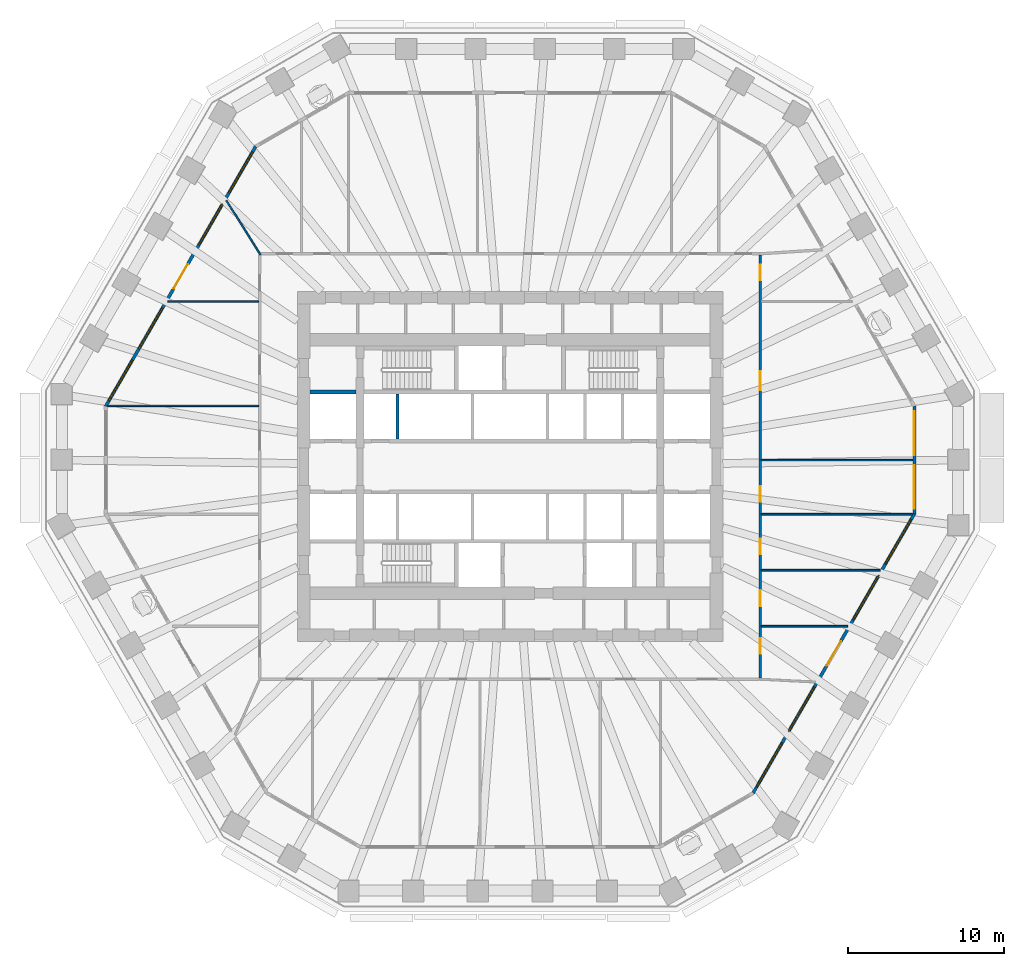
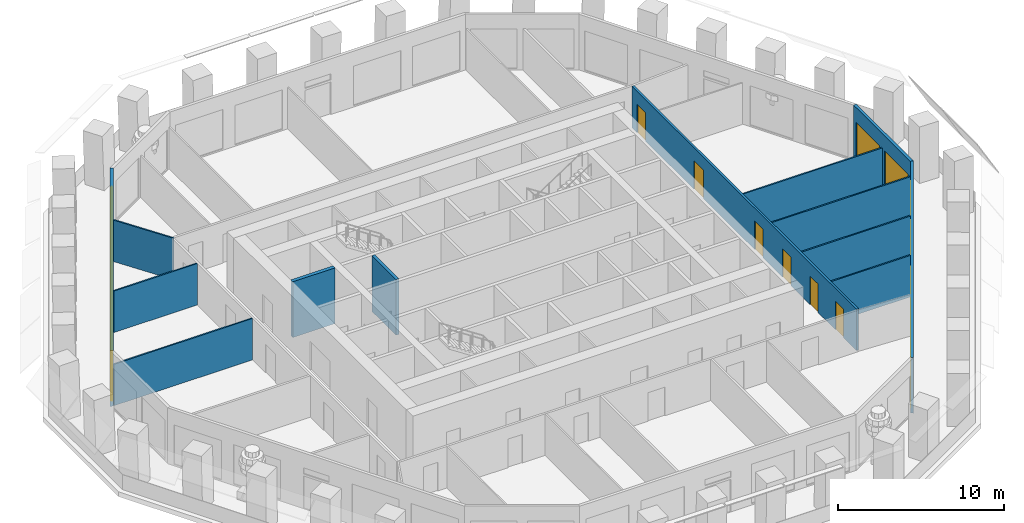
# One storey, part 6 of 13: 13 walls, 12 windows, 8 doors, 20 openings.
"""IFC4 building model written with IfcOpenShell, lengths in metres."""

import ifcopenshell
import ifcopenshell.guid

model = None  # the IFC model being written
_history = None  # IfcOwnerHistory: only IFC2X3 demands one
_inside = {}  # id of a spatial element -> (the spatial element, [elements in it])
_under = {}  # id of a project, library or spatial element -> (it, [spatial elements below it])
_declared = {}  # id of a project -> (the project, [libraries it declares])
_typed = {}  # id of a type object -> (the type object, [elements of that type])
_made_of = {}  # id of a material, layer set ... -> (it, [elements and type objects made of it])


def new_model(schema):
    """Start an empty IFC model of exactly this schema.

    Asked for "IFC4X3", IfcOpenShell would pick the latest addendum, in which some entities
    have other attributes; the version numbers below select the first issue.
    IFC2X3 requires an IfcOwnerHistory on every rooted entity: one is made here for all.
    """
    global model, _history
    if schema == "IFC4X3":
        model = ifcopenshell.file(schema_version=(4, 3, 0, 0))
    else:
        model = ifcopenshell.file(schema=schema)
    _inside.clear()
    _under.clear()
    _declared.clear()
    _typed.clear()
    _made_of.clear()
    _history = None
    if model.schema == "IFC2X3":
        org = make("IfcOrganization", Name="unknown")
        user = make(
            "IfcPersonAndOrganization",
            ThePerson=make("IfcPerson", FamilyName="unknown"),
            TheOrganization=org,
        )
        app = make(
            "IfcApplication",
            ApplicationDeveloper=org,
            Version="unknown",
            ApplicationFullName="unknown",
            ApplicationIdentifier="unknown",
        )
        _history = make(
            "IfcOwnerHistory",
            OwningUser=user,
            OwningApplication=app,
            ChangeAction="ADDED",
            CreationDate=0,
        )
    return model


def make(cls, **values):
    """One entity of the class cls with the attributes given. An attribute that is None is left unset."""
    return model.create_entity(
        cls, **{name: value for name, value in values.items() if value is not None}
    )


def rooted(cls, **values):
    """An entity with a GlobalId (a new one), such as an element, a storey or a relation."""
    return make(cls, GlobalId=ifcopenshell.guid.new(), OwnerHistory=_history, **values)


def si_unit(unit_type, name, prefix=None):
    """IfcSIUnit, for example si_unit("LENGTHUNIT", "METRE", prefix="MILLI")."""
    return make("IfcSIUnit", UnitType=unit_type, Prefix=prefix, Name=name)


def assignment(units):
    """IfcUnitAssignment: the units of a project."""
    return None if units is None else make("IfcUnitAssignment", Units=units)


def point(xyz):
    """IfcCartesianPoint."""
    return None if xyz is None else make("IfcCartesianPoint", Coordinates=xyz)


def direction(xyz):
    """IfcDirection."""
    return None if xyz is None else make("IfcDirection", DirectionRatios=xyz)


def frame(location, z_axis=None, x_axis=None):
    """IfcAxis2Placement3D, a coordinate frame: its origin and axes. An axis left out is left unset."""
    return make(
        "IfcAxis2Placement3D",
        Location=point(location),
        Axis=direction(z_axis),
        RefDirection=direction(x_axis),
    )


def frame_2d(location, x_axis=None):
    """IfcAxis2Placement2D, a coordinate frame in the plane: its origin and x axis."""
    return make(
        "IfcAxis2Placement2D", Location=point(location), RefDirection=direction(x_axis)
    )


def origin():
    """The frame at (0, 0, 0) with its axes left unset."""
    return frame((0.0, 0.0, 0.0))


def place(relative_to, where):
    """IfcLocalPlacement: puts the frame where relative to a parent placement (None: the world)."""
    return make(
        "IfcLocalPlacement", PlacementRelTo=relative_to, RelativePlacement=where
    )


def context(
    kind, dimensions, precision=None, world=None, true_north=None, identifier=None
):
    """IfcGeometricRepresentationContext, for example the 3D "Model" context."""
    return make(
        "IfcGeometricRepresentationContext",
        ContextIdentifier=identifier,
        ContextType=kind,
        CoordinateSpaceDimension=dimensions,
        Precision=precision,
        WorldCoordinateSystem=world,
        TrueNorth=true_north,
    )


def subcontext(parent, identifier, kind, view, scale=None):
    """IfcGeometricRepresentationSubContext, for example "Body" below "Model"."""
    return make(
        "IfcGeometricRepresentationSubContext",
        ContextIdentifier=identifier,
        ContextType=kind,
        ParentContext=parent,
        TargetScale=scale,
        TargetView=view,
    )


def project(units=None, contexts=None):
    """IfcProject with its units and contexts."""
    return rooted(
        "IfcProject",
        Name="project",
        RepresentationContexts=contexts,
        UnitsInContext=assignment(units),
    )


def spatial(cls, under=None, at=None, **own):
    """A site, building, storey or space (cls), placed at a placement, below another one or the project."""
    s = rooted(cls, ObjectPlacement=at, **own)
    if under is not None:
        _under.setdefault(under.id(), (under, []))[1].append(s)
    return s


def polyline(points):
    """IfcPolyline through the points."""
    return make("IfcPolyline", Points=[point(p) for p in points])


def profile(cls, at=None, kind="AREA", **sizes):
    """A parametric profile (cls). Its sizes go by their IFC names, for example OverallWidth=200.0."""
    return make(cls, ProfileType=kind, Position=at, **sizes)


def rectangle(**sizes):
    """IfcRectangleProfileDef."""
    return profile("IfcRectangleProfileDef", **sizes)


def outline(outer, holes=None, kind="AREA"):
    """IfcArbitraryClosedProfileDef: a profile drawn as a closed curve; with holes, ...WithVoids."""
    if holes is None:
        return make("IfcArbitraryClosedProfileDef", ProfileType=kind, OuterCurve=outer)
    return make(
        "IfcArbitraryProfileDefWithVoids",
        ProfileType=kind,
        OuterCurve=outer,
        InnerCurves=holes,
    )


def extrude(swept, where, along, depth):
    """IfcExtrudedAreaSolid: the profile swept, set in the frame where, extruded along a direction by depth."""
    return make(
        "IfcExtrudedAreaSolid",
        SweptArea=swept,
        Position=where,
        ExtrudedDirection=direction(along),
        Depth=depth,
    )


def shape(context_of_items, identifier, shape_type, items):
    """IfcShapeRepresentation: the items that make up one representation, for example the "Body"."""
    return make(
        "IfcShapeRepresentation",
        ContextOfItems=context_of_items,
        RepresentationIdentifier=identifier,
        RepresentationType=shape_type,
        Items=items,
    )


def material(Name=None, Category=None):
    """IfcMaterial."""
    return make("IfcMaterial", Name=Name, Category=Category)


def layer(
    of_material, thickness, ventilated=None, Name=None, Category=None, Priority=None
):
    """IfcMaterialLayer: one layer of a wall or slab, of a material (None: an air gap)."""
    return make(
        "IfcMaterialLayer",
        Material=of_material,
        LayerThickness=thickness,
        IsVentilated=ventilated,
        Name=Name,
        Category=Category,
        Priority=Priority,
    )


def layer_set(layers, Name=None):
    """IfcMaterialLayerSet."""
    return make("IfcMaterialLayerSet", MaterialLayers=layers, LayerSetName=Name)


def made_of(thing, what):
    """Note that an element or type object is made of a material, layer set ...; save() writes the relation."""
    if what is not None:
        _made_of.setdefault(what.id(), (what, []))[1].append(thing)
    return thing


def type_object(cls, material=None, **own):
    """A type object (cls), such as IfcWallType, which elements share."""
    return made_of(rooted(cls, **own), material)


def element(
    cls,
    number,
    at=None,
    inside=None,
    cuts=None,
    type_object=None,
    material=None,
    context=None,
    identifier="Body",
    shape_type=None,
    held_by="IfcProductDefinitionShape",
    body=None,
    shapes=None,
    **own,
):
    """One element of the class cls, such as IfcWall. Its Tag is "e" and its number.

    at: its placement. inside: the storey or other place that contains it. cuts: it is an
    opening in that element (IfcRelVoidsElement). A single representation is given by context,
    identifier, shape_type and body (its items); several are given by shapes. held_by: the class
    of the entity that holds the representations. save() writes the other relations.
    """
    e = rooted(cls, Tag="e%d" % number, ObjectPlacement=at, **own)
    if body is not None:
        shapes = [shape(context, identifier, shape_type, body)]
    if shapes is not None:
        e.Representation = make(held_by, Representations=shapes)
    if inside is not None:
        _inside.setdefault(inside.id(), (inside, []))[1].append(e)
    if cuts is not None:
        rooted(
            "IfcRelVoidsElement", RelatingBuildingElement=cuts, RelatedOpeningElement=e
        )
    if type_object is not None:
        _typed.setdefault(type_object.id(), (type_object, []))[1].append(e)
    return made_of(e, material)


def fill(opening, filler):
    """IfcRelFillsElement: the door or window that sits in an opening."""
    return rooted(
        "IfcRelFillsElement",
        RelatingOpeningElement=opening,
        RelatedBuildingElement=filler,
    )


def aggregate(whole, parts):
    """IfcRelAggregates: a whole, such as a stair, and the parts it consists of."""
    return rooted("IfcRelAggregates", RelatingObject=whole, RelatedObjects=parts)


def save(model, path):
    """Write the relations noted so far, then the file.

    IfcRelAggregates (storeys below a building ...), IfcRelContainedInSpatialStructure (elements
    in a storey), IfcRelDefinesByType, IfcRelAssociatesMaterial and IfcRelDeclares: one each for
    every whole, place, type object, material and project.
    """
    for whole, parts in _under.values():
        aggregate(whole, parts)
    for where, things in _inside.values():
        rooted(
            "IfcRelContainedInSpatialStructure",
            RelatedElements=things,
            RelatingStructure=where,
        )
    for kind, things in _typed.values():
        rooted("IfcRelDefinesByType", RelatedObjects=things, RelatingType=kind)
    for what, things in _made_of.values():
        rooted("IfcRelAssociatesMaterial", RelatedObjects=things, RelatingMaterial=what)
    for by, libraries in _declared.values():
        rooted("IfcRelDeclares", RelatingContext=by, RelatedDefinitions=libraries)
    model.write(path)


model = new_model("IFC4")

# Units and contexts
model_context = context("Model", 3, precision=1e-05, world=origin(), true_north=direction((0.0, 1.0)))
body_context = subcontext(model_context, "Body", "Model", "MODEL_VIEW")
ifc_project = project(units=[si_unit("LENGTHUNIT", "METRE"), si_unit("AREAUNIT", "SQUARE_METRE"), si_unit("VOLUMEUNIT", "CUBIC_METRE"), si_unit("PLANEANGLEUNIT", "RADIAN"), si_unit("MASSUNIT", "GRAM", prefix="KILO")], contexts=[model_context])

# Site, building, storey
site_placement = place(None, origin())
site = spatial("IfcSite", under=ifc_project, at=site_placement, CompositionType="ELEMENT")
building_placement = place(site_placement, origin())
building = spatial("IfcBuilding", under=site, at=building_placement, Name="Frailejon Research Tower", CompositionType="ELEMENT")
storey_placement = place(building_placement, frame((0.0, 0.0, 94.0)))
storey = spatial("IfcBuildingStorey", under=building, at=storey_placement, Name="L20", CompositionType="ELEMENT", Elevation=94.0)

# Wall, openings, doors
ifc_material_1 = material(Name="Gypsum board and masonry partition", Category="masonry")
ifc_layer_1 = layer(ifc_material_1, 0.14990234375)
ifc_layer_set_1 = layer_set([ifc_layer_1], Name="Corridor wall EI 60, gypsum on steel studs 150")
wall_type_1 = type_object("IfcWallType", Name="Corridor wall EI 60, gypsum on steel studs 150", PredefinedType="PARTITIONING", material=ifc_layer_set_1)
wall_1_placement = place(storey_placement, frame((16.0, -13.52490234375, 0.0), z_axis=(0.0, 0.0, 1.0), x_axis=(0.0, 1.0, 0.0)))
wall_1 = element("IfcWall", 1, at=wall_1_placement, inside=storey, type_object=wall_type_1, Name="T:IW:L20:001", PredefinedType="PARTITIONING", context=body_context, shape_type="SweptSolid", body=[
    extrude(rectangle(XDim=27.0498046875, YDim=0.14990234375, at=frame_2d((13.52490234375, 0.0))), origin(), (0.0, 0.0, 1.0), 3.050048828125),
])
opening_1_placement = place(wall_1_placement, frame((18.4033203125, 0.0, 0.0)))
opening_1 = element("IfcOpeningElement", 2, at=opening_1_placement, cuts=wall_1, Name="Opening D1528", PredefinedType="OPENING", context=body_context, shape_type="SweptSolid", body=[
    extrude(rectangle(XDim=1.199951171875, YDim=2.10009765625, at=frame_2d((0.60009765625, 1.050048828125))), frame((0.0, 0.0849609375, 0.0), z_axis=(0.0, -1.0, 0.0), x_axis=(1.0, 0.0, 0.0)), (0.0, 0.0, 1.0), 0.169921875),
])
opening_2_placement = place(wall_1_placement, frame((25.435302734375, 0.0, 0.0)))
opening_2 = element("IfcOpeningElement", 3, at=opening_2_placement, cuts=wall_1, Name="Opening D1529", PredefinedType="OPENING", context=body_context, shape_type="SweptSolid", body=[
    extrude(rectangle(XDim=1.0, YDim=2.10009765625, at=frame_2d((0.5, 1.050048828125))), frame((0.0, 0.0849609375, 0.0), z_axis=(0.0, -1.0, 0.0), x_axis=(1.0, 0.0, 0.0)), (0.0, 0.0, 1.0), 0.169921875),
])
opening_3_placement = place(wall_1_placement, frame((1.54248046875, 0.0, 0.0)))
opening_3 = element("IfcOpeningElement", 4, at=opening_3_placement, cuts=wall_1, Name="Opening D1547", PredefinedType="OPENING", context=body_context, shape_type="SweptSolid", body=[
    extrude(rectangle(XDim=1.0, YDim=2.10009765625, at=frame_2d((0.5, 1.050048828125))), frame((0.0, 0.0849609375, 0.0), z_axis=(0.0, -1.0, 0.0), x_axis=(1.0, 0.0, 0.0)), (0.0, 0.0, 1.0), 0.169921875),
])
opening_4_placement = place(wall_1_placement, frame((4.605224609375, 0.0, 0.0)))
opening_4 = element("IfcOpeningElement", 5, at=opening_4_placement, cuts=wall_1, Name="Opening D1548", PredefinedType="OPENING", context=body_context, shape_type="SweptSolid", body=[
    extrude(rectangle(XDim=1.0, YDim=2.10009765625, at=frame_2d((0.5, 1.050048828125))), frame((0.0, 0.0849609375, 0.0), z_axis=(0.0, -1.0, 0.0), x_axis=(1.0, 0.0, 0.0)), (0.0, 0.0, 1.0), 0.169921875),
])
opening_5_placement = place(wall_1_placement, frame((7.903564453125, 0.0, 0.0)))
opening_5 = element("IfcOpeningElement", 6, at=opening_5_placement, cuts=wall_1, Name="Opening D1549", PredefinedType="OPENING", context=body_context, shape_type="SweptSolid", body=[
    extrude(rectangle(XDim=1.0, YDim=2.10009765625, at=frame_2d((0.5, 1.050048828125))), frame((0.0, 0.0849609375, 0.0), z_axis=(0.0, -1.0, 0.0), x_axis=(1.0, 0.0, 0.0)), (0.0, 0.0, 1.0), 0.169921875),
])
opening_6_placement = place(wall_1_placement, frame((11.266845703125, 0.0, 0.0)))
opening_6 = element("IfcOpeningElement", 7, at=opening_6_placement, cuts=wall_1, Name="Opening D1550", PredefinedType="OPENING", context=body_context, shape_type="SweptSolid", body=[
    extrude(rectangle(XDim=1.0, YDim=2.10009765625, at=frame_2d((0.5, 1.050048828125))), frame((0.0, 0.0849609375, 0.0), z_axis=(0.0, -1.0, 0.0), x_axis=(1.0, 0.0, 0.0)), (0.0, 0.0, 1.0), 0.169921875),
])
ifc_material_2 = material(Name="Timber door leaf", Category="wood")
door_type_1 = type_object("IfcDoorType", Name="Door single leaf, timber, steel frame 1000", OperationType="NOTDEFINED", PredefinedType="DOOR", material=ifc_material_2)
door_1_placement = place(opening_2_placement, origin())
door_1 = element("IfcDoor", 8, at=door_1_placement, inside=storey, type_object=door_type_1, Name="D1529", OperationType="SINGLE_SWING_LEFT", OverallHeight=2.10009765625, OverallWidth=1.0, PredefinedType="DOOR", context=body_context, shape_type="SweptSolid", body=[
    extrude(rectangle(XDim=1.0, YDim=2.10009765625, at=frame_2d((0.5, 1.050048828125))), frame((0.0, 0.02490234375, 0.0), z_axis=(0.0, -1.0, 0.0), x_axis=(1.0, 0.0, 0.0)), (0.0, 0.0, 1.0), 0.050048828125),
])
fill(opening_2, door_1)
door_2_placement = place(opening_3_placement, origin())
door_2 = element("IfcDoor", 9, at=door_2_placement, inside=storey, type_object=door_type_1, Name="D1547", OperationType="SINGLE_SWING_RIGHT", OverallHeight=2.10009765625, OverallWidth=1.0, PredefinedType="DOOR", context=body_context, shape_type="SweptSolid", body=[
    extrude(rectangle(XDim=1.0, YDim=2.10009765625, at=frame_2d((0.5, 1.050048828125))), frame((0.0, 0.02490234375, 0.0), z_axis=(0.0, -1.0, 0.0), x_axis=(1.0, 0.0, 0.0)), (0.0, 0.0, 1.0), 0.050048828125),
])
fill(opening_3, door_2)
door_3_placement = place(opening_4_placement, origin())
door_3 = element("IfcDoor", 10, at=door_3_placement, inside=storey, type_object=door_type_1, Name="D1548", OperationType="SINGLE_SWING_RIGHT", OverallHeight=2.10009765625, OverallWidth=1.0, PredefinedType="DOOR", context=body_context, shape_type="SweptSolid", body=[
    extrude(rectangle(XDim=1.0, YDim=2.10009765625, at=frame_2d((0.5, 1.050048828125))), frame((0.0, 0.02490234375, 0.0), z_axis=(0.0, -1.0, 0.0), x_axis=(1.0, 0.0, 0.0)), (0.0, 0.0, 1.0), 0.050048828125),
])
fill(opening_4, door_3)
door_4_placement = place(opening_5_placement, origin())
door_4 = element("IfcDoor", 11, at=door_4_placement, inside=storey, type_object=door_type_1, Name="D1549", OperationType="SINGLE_SWING_RIGHT", OverallHeight=2.10009765625, OverallWidth=1.0, PredefinedType="DOOR", context=body_context, shape_type="SweptSolid", body=[
    extrude(rectangle(XDim=1.0, YDim=2.10009765625, at=frame_2d((0.5, 1.050048828125))), frame((0.0, 0.02490234375, 0.0), z_axis=(0.0, -1.0, 0.0), x_axis=(1.0, 0.0, 0.0)), (0.0, 0.0, 1.0), 0.050048828125),
])
fill(opening_5, door_4)
door_5_placement = place(opening_6_placement, origin())
door_5 = element("IfcDoor", 12, at=door_5_placement, inside=storey, type_object=door_type_1, Name="D1550", OperationType="SINGLE_SWING_RIGHT", OverallHeight=2.10009765625, OverallWidth=1.0, PredefinedType="DOOR", context=body_context, shape_type="SweptSolid", body=[
    extrude(rectangle(XDim=1.0, YDim=2.10009765625, at=frame_2d((0.5, 1.050048828125))), frame((0.0, 0.02490234375, 0.0), z_axis=(0.0, -1.0, 0.0), x_axis=(1.0, 0.0, 0.0)), (0.0, 0.0, 1.0), 0.050048828125),
])
fill(opening_6, door_5)
ifc_material_3 = material(Name="Timber door leaf", Category="wood")
door_type_2 = type_object("IfcDoorType", Name="Door single leaf, timber, steel frame 1200", OperationType="NOTDEFINED", PredefinedType="DOOR", material=ifc_material_3)
door_6_placement = place(opening_1_placement, origin())
door_6 = element("IfcDoor", 13, at=door_6_placement, inside=storey, type_object=door_type_2, Name="D1528", OperationType="DOUBLE_DOOR_SINGLE_SWING", OverallHeight=2.10009765625, OverallWidth=1.199951171875, PredefinedType="DOOR", context=body_context, shape_type="SweptSolid", body=[
    extrude(rectangle(XDim=1.199951171875, YDim=2.10009765625, at=frame_2d((0.60009765625, 1.050048828125))), frame((0.0, 0.02490234375, 0.0), z_axis=(0.0, -1.0, 0.0), x_axis=(1.0, 0.0, 0.0)), (0.0, 0.0, 1.0), 0.050048828125),
])
fill(opening_1, door_6)

# Walls
ifc_material_4 = material(Name="Gypsum board and masonry partition", Category="masonry")
ifc_layer_2 = layer(ifc_material_4, 0.10009765625)
ifc_layer_set_2 = layer_set([ifc_layer_2], Name="Partition, gypsum on steel studs 100")
wall_type_2 = type_object("IfcWallType", Name="Partition, gypsum on steel studs 100", PredefinedType="PARTITIONING", material=ifc_layer_set_2)
wall_2_placement = place(storey_placement, frame((-21.87451171875, 10.541748046875, 0.0), z_axis=(0.0, 0.0, 1.0), x_axis=(1.0, 0.0, 0.0)))
element("IfcWall", 14, at=wall_2_placement, inside=storey, type_object=wall_type_2, Name="T:IW:L20:011", PredefinedType="PARTITIONING", context=body_context, shape_type="SweptSolid", body=[
    extrude(rectangle(XDim=5.799560546875, YDim=0.10009765625, at=frame_2d((2.89990234375, 0.0))), origin(), (0.0, 0.0, 1.0), 3.050048828125),
])
wall_3_placement = place(storey_placement, frame((16.074951171875, 0.414794921875, 0.0), z_axis=(0.0, 0.0, 1.0), x_axis=(1.0, 0.0, 0.0)))
element("IfcWall", 15, at=wall_3_placement, inside=storey, type_object=wall_type_2, Name="T:IW:L20:013", PredefinedType="PARTITIONING", context=body_context, shape_type="SweptSolid", body=[
    extrude(rectangle(XDim=9.67724609375, YDim=0.10009765625, at=frame_2d((4.838623046875, 0.0))), origin(), (0.0, 0.0, 1.0), 3.050048828125),
])
wall_4_placement = place(storey_placement, frame((-18.138671875, 17.0126953125, 0.0), z_axis=(0.0, 0.0, 1.0), x_axis=(0.531009568181, -0.847365823302, 0.0)))
element("IfcWall", 16, at=wall_4_placement, inside=storey, type_object=wall_type_2, Name="T:IW:L20:018", PredefinedType="PARTITIONING", context=body_context, shape_type="SweptSolid", body=[
    extrude(rectangle(XDim=4.1025390625, YDim=0.10009765625, at=frame_2d((2.05126953125, 0.0))), origin(), (0.0, 0.0, 1.0), 3.050048828125),
])
wall_5_placement = place(storey_placement, frame((-25.721435546875, 3.87890625, 0.0), z_axis=(0.0, 0.0, 1.0), x_axis=(1.0, 0.0, 0.0)))
element("IfcWall", 17, at=wall_5_placement, inside=storey, type_object=wall_type_2, Name="T:IW:L20:019", PredefinedType="PARTITIONING", context=body_context, shape_type="SweptSolid", body=[
    extrude(rectangle(XDim=9.646484375, YDim=0.10009765625, at=frame_2d((4.8232421875, 0.0))), origin(), (0.0, 0.0, 1.0), 3.050048828125),
])
wall_6_placement = place(storey_placement, frame((16.074951171875, -10.2099609375, 0.0), z_axis=(0.0, 0.0, 1.0), x_axis=(1.0, 0.0, 0.0)))
element("IfcWall", 18, at=wall_6_placement, inside=storey, type_object=wall_type_2, Name="T:IW:L20:025", PredefinedType="PARTITIONING", context=body_context, shape_type="SweptSolid", body=[
    extrude(rectangle(XDim=5.51220703125, YDim=0.10009765625, at=frame_2d((2.756103515625, 0.0))), origin(), (0.0, 0.0, 1.0), 3.050048828125),
])
wall_7_placement = place(storey_placement, frame((16.074951171875, -6.629638671875, 0.0), z_axis=(0.0, 0.0, 1.0), x_axis=(1.0, 0.0, 0.0)))
element("IfcWall", 19, at=wall_7_placement, inside=storey, type_object=wall_type_2, Name="T:IW:L20:026", PredefinedType="PARTITIONING", context=body_context, shape_type="SweptSolid", body=[
    extrude(rectangle(XDim=7.579345703125, YDim=0.10009765625, at=frame_2d((3.78955078125, 0.0))), origin(), (0.0, 0.0, 1.0), 3.050048828125),
])
wall_8_placement = place(storey_placement, frame((16.074951171875, -3.04931640625, 0.0), z_axis=(0.0, 0.0, 1.0), x_axis=(1.0, 0.0, 0.0)))
element("IfcWall", 20, at=wall_8_placement, inside=storey, type_object=wall_type_2, Name="T:IW:L20:027", PredefinedType="PARTITIONING", context=body_context, shape_type="SweptSolid", body=[
    extrude(rectangle(XDim=9.646484375, YDim=0.10009765625, at=frame_2d((4.8232421875, 0.0))), origin(), (0.0, 0.0, 1.0), 3.050048828125),
])
ifc_material_5 = material(Name="Concrete C70/85", Category="concrete")
ifc_layer_3 = layer(ifc_material_5, 0.199951171875)
ifc_layer_set_3 = layer_set([ifc_layer_3], Name="Shaft wall 200 C70/85")
wall_type_3 = type_object("IfcWallType", Name="Shaft wall 200 C70/85", PredefinedType="SOLIDWALL", material=ifc_layer_set_3)
wall_9_placement = place(storey_placement, frame((-7.199951171875, 1.75, 0.0), z_axis=(0.0, 0.0, 1.0), x_axis=(0.0, 1.0, 0.0)))
element("IfcWall", 21, at=wall_9_placement, inside=storey, type_object=wall_type_3, Name="Shaft wall", PredefinedType="SOLIDWALL", context=body_context, shape_type="SweptSolid", body=[
    extrude(rectangle(XDim=2.89990234375, YDim=0.199951171875, at=frame_2d((1.449951171875, 0.0))), origin(), (0.0, 0.0, 1.0), 4.10009765625),
])
ifc_material_6 = material(Name="Concrete C70/85", Category="concrete")
ifc_layer_4 = layer(ifc_material_6, 0.25)
ifc_layer_set_4 = layer_set([ifc_layer_4], Name="Shaft wall 250 C70/85")
wall_type_4 = type_object("IfcWallType", Name="Shaft wall 250 C70/85", PredefinedType="SOLIDWALL", material=ifc_layer_set_4)
wall_10_placement = place(storey_placement, frame((-12.800048828125, 4.77490234375, 0.0), z_axis=(0.0, 0.0, 1.0), x_axis=(1.0, 0.0, 0.0)))
element("IfcWall", 22, at=wall_10_placement, inside=storey, type_object=wall_type_4, Name="Shaft wall", PredefinedType="SOLIDWALL", context=body_context, shape_type="SweptSolid", body=[
    extrude(rectangle(XDim=2.949951171875, YDim=0.25, at=frame_2d((1.47509765625, 0.0))), origin(), (0.0, 0.0, 1.0), 4.10009765625),
])

# Wall, openings, windows
ifc_material_7 = material(Name="Concrete C40/50 precast window wall panel", Category="concrete")
ifc_layer_5 = layer(ifc_material_7, 0.199951171875)
ifc_layer_set_5 = layer_set([ifc_layer_5], Name="Window wall 200")
wall_type_5 = type_object("IfcWallType", Name="Window wall 200", PredefinedType="SOLIDWALL", material=ifc_layer_set_5)
wall_11_placement = place(storey_placement, frame((25.852294921875, -3.0224609375, 0.0), z_axis=(0.0, 0.0, 1.0), x_axis=(0.0, 1.0, 0.0)))
wall_11 = element("IfcWall", 23, at=wall_11_placement, inside=storey, type_object=wall_type_5, Name="Exterior wall L20", PredefinedType="SOLIDWALL", context=body_context, shape_type="SweptSolid", body=[
    extrude(outline(polyline([(-0.02685546875, -0.10009765625), (1.1279296875, -0.10009765625), (2.282470703125, -0.10009765625), (3.437255859375, -0.10009765625), (4.592041015625, -0.10009765625), (5.74658203125, -0.10009765625), (6.9013671875, -0.10009765625), (6.84765625, 0.10009765625), (5.7109375, 0.10009765625), (4.573974609375, 0.10009765625), (3.437255859375, 0.10009765625), (2.300537109375, 0.10009765625), (1.16357421875, 0.10009765625), (0.02685546875, 0.10009765625), (-0.02685546875, -0.10009765625)])), origin(), (0.0, 0.0, 1.0), 4.10009765625),
])
opening_7_placement = place(wall_11_placement, frame((0.318603515625, 0.0, 0.10009765625)))
opening_7 = element("IfcOpeningElement", 24, at=opening_7_placement, cuts=wall_11, Name="Opening W3", PredefinedType="OPENING", context=body_context, shape_type="SweptSolid", body=[
    extrude(rectangle(XDim=2.800048828125, YDim=2.89990234375, at=frame_2d((1.39990234375, 1.449951171875))), frame((0.0, 0.10986328125, 0.0), z_axis=(0.0, -1.0, 0.0), x_axis=(1.0, 0.0, 0.0)), (0.0, 0.0, 1.0), 0.219970703125),
])
opening_8_placement = place(wall_11_placement, frame((3.756103515625, 0.0, 0.10009765625)))
opening_8 = element("IfcOpeningElement", 25, at=opening_8_placement, cuts=wall_11, Name="Opening W3", PredefinedType="OPENING", context=body_context, shape_type="SweptSolid", body=[
    extrude(rectangle(XDim=2.800048828125, YDim=2.89990234375, at=frame_2d((1.39990234375, 1.449951171875))), frame((0.0, 0.10986328125, 0.0), z_axis=(0.0, -1.0, 0.0), x_axis=(1.0, 0.0, 0.0)), (0.0, 0.0, 1.0), 0.219970703125),
])
ifc_material_8 = material(Name="Aluminium framed double glazing", Category="aluminium")
window_type_1 = type_object("IfcWindowType", Name="Window 2800x2900", PartitioningType="SINGLE_PANEL", PredefinedType="WINDOW", material=ifc_material_8)
window_1_placement = place(opening_7_placement, origin())
window_1 = element("IfcWindow", 26, at=window_1_placement, inside=storey, type_object=window_type_1, Name="Window L20", OverallHeight=2.89990234375, OverallWidth=2.800048828125, PartitioningType="SINGLE_PANEL", PredefinedType="WINDOW", context=body_context, shape_type="SweptSolid", body=[
    extrude(rectangle(XDim=2.800048828125, YDim=2.89990234375, at=frame_2d((1.39990234375, 1.449951171875))), frame((0.0, 0.030029296875, 0.0), z_axis=(0.0, -1.0, 0.0), x_axis=(1.0, 0.0, 0.0)), (0.0, 0.0, 1.0), 0.06005859375),
])
fill(opening_7, window_1)
window_2_placement = place(opening_8_placement, origin())
window_2 = element("IfcWindow", 27, at=window_2_placement, inside=storey, type_object=window_type_1, Name="Window L20", OverallHeight=2.89990234375, OverallWidth=2.800048828125, PartitioningType="SINGLE_PANEL", PredefinedType="WINDOW", context=body_context, shape_type="SweptSolid", body=[
    extrude(rectangle(XDim=2.800048828125, YDim=2.89990234375, at=frame_2d((1.39990234375, 1.449951171875))), frame((0.0, 0.030029296875, 0.0), z_axis=(0.0, -1.0, 0.0), x_axis=(1.0, 0.0, 0.0)), (0.0, 0.0, 1.0), 0.06005859375),
])
fill(opening_8, window_2)

# Wall, openings, door, windows
wall_12_placement = place(storey_placement, frame((-16.26220703125, 20.462646484375, 0.0), z_axis=(0.0, 0.0, 1.0), x_axis=(-0.499998279088, -0.866026397351, 0.0)))
wall_12 = element("IfcWall", 28, at=wall_12_placement, inside=storey, type_object=wall_type_5, Name="Exterior wall L20", PredefinedType="SOLIDWALL", context=body_context, shape_type="SweptSolid", body=[
    extrude(outline(polyline([(-0.02685546875, -0.10009765625), (0.9853515625, -0.10009765625), (1.997802734375, -0.10009765625), (3.010009765625, -0.10009765625), (4.0224609375, -0.10009765625), (5.03466796875, -0.10009765625), (6.047119140625, -0.10009765625), (7.059326171875, -0.10009765625), (8.071533203125, -0.10009765625), (9.083984375, -0.10009765625), (10.09619140625, -0.10009765625), (11.108642578125, -0.10009765625), (12.120849609375, -0.10009765625), (13.133056640625, -0.10009765625), (14.1455078125, -0.10009765625), (15.15771484375, -0.10009765625), (16.170166015625, -0.10009765625), (17.182373046875, -0.10009765625), (18.19482421875, -0.10009765625), (19.20703125, -0.10009765625), (19.1533203125, 0.10009765625), (18.146728515625, 0.10009765625), (17.139892578125, 0.10009765625), (16.13330078125, 0.10009765625), (15.126708984375, 0.10009765625), (14.1201171875, 0.10009765625), (13.11328125, 0.10009765625), (12.106689453125, 0.10009765625), (11.10009765625, 0.10009765625), (10.093505859375, 0.10009765625), (9.086669921875, 0.10009765625), (8.080078125, 0.10009765625), (7.073486328125, 0.10009765625), (6.06689453125, 0.10009765625), (5.06005859375, 0.10009765625), (4.053466796875, 0.10009765625), (3.046875, 0.10009765625), (2.040283203125, 0.10009765625), (1.033447265625, 0.10009765625), (0.02685546875, 0.10009765625), (-0.02685546875, -0.10009765625)])), origin(), (0.0, 0.0, 1.0), 4.10009765625),
])
opening_9_placement = place(wall_12_placement, frame((0.41796875, 0.0, 0.10009765625)))
opening_9 = element("IfcOpeningElement", 29, at=opening_9_placement, cuts=wall_12, Name="Opening W4", PredefinedType="OPENING", context=body_context, shape_type="SweptSolid", body=[
    extrude(rectangle(XDim=3.0, YDim=2.89990234375, at=frame_2d((1.5, 1.449951171875))), frame((0.0, 0.10986328125, 0.0), z_axis=(0.0, -1.0, 0.0), x_axis=(1.0, 0.0, 0.0)), (0.0, 0.0, 1.0), 0.219970703125),
])
opening_10_placement = place(wall_12_placement, frame((4.254150390625, 0.0, 0.10009765625)))
opening_10 = element("IfcOpeningElement", 30, at=opening_10_placement, cuts=wall_12, Name="Opening W4", PredefinedType="OPENING", context=body_context, shape_type="SweptSolid", body=[
    extrude(rectangle(XDim=3.0, YDim=2.89990234375, at=frame_2d((1.5, 1.449951171875))), frame((0.0, 0.10986328125, 0.0), z_axis=(0.0, -1.0, 0.0), x_axis=(1.0, 0.0, 0.0)), (0.0, 0.0, 1.0), 0.219970703125),
])
opening_11_placement = place(wall_12_placement, frame((8.690185546875, 0.0, 0.0)))
opening_11 = element("IfcOpeningElement", 31, at=opening_11_placement, cuts=wall_12, Name="Opening LG20-3", PredefinedType="OPENING", context=body_context, shape_type="SweptSolid", body=[
    extrude(rectangle(XDim=1.800048828125, YDim=2.39990234375, at=frame_2d((0.89990234375, 1.199951171875))), frame((0.0, 0.10986328125, 0.0), z_axis=(0.0, -1.0, 0.0), x_axis=(1.0, 0.0, 0.0)), (0.0, 0.0, 1.0), 0.219970703125),
])
opening_12_placement = place(wall_12_placement, frame((8.690185546875, 0.0, 2.550048828125)))
opening_12 = element("IfcOpeningElement", 32, at=opening_12_placement, cuts=wall_12, Name="Opening W1", PredefinedType="OPENING", context=body_context, shape_type="SweptSolid", body=[
    extrude(rectangle(XDim=1.800048828125, YDim=0.449951171875, at=frame_2d((0.89990234375, 0.22509765625))), frame((0.0, 0.10986328125, 0.0), z_axis=(0.0, -1.0, 0.0), x_axis=(1.0, 0.0, 0.0)), (0.0, 0.0, 1.0), 0.219970703125),
])
opening_13_placement = place(wall_12_placement, frame((11.92626953125, 0.0, 0.10009765625)))
opening_13 = element("IfcOpeningElement", 33, at=opening_13_placement, cuts=wall_12, Name="Opening W4", PredefinedType="OPENING", context=body_context, shape_type="SweptSolid", body=[
    extrude(rectangle(XDim=3.0, YDim=2.89990234375, at=frame_2d((1.5, 1.449951171875))), frame((0.0, 0.10986328125, 0.0), z_axis=(0.0, -1.0, 0.0), x_axis=(1.0, 0.0, 0.0)), (0.0, 0.0, 1.0), 0.219970703125),
])
opening_14_placement = place(wall_12_placement, frame((15.76220703125, 0.0, 0.10009765625)))
opening_14 = element("IfcOpeningElement", 34, at=opening_14_placement, cuts=wall_12, Name="Opening W4", PredefinedType="OPENING", context=body_context, shape_type="SweptSolid", body=[
    extrude(rectangle(XDim=3.0, YDim=2.89990234375, at=frame_2d((1.5, 1.449951171875))), frame((0.0, 0.10986328125, 0.0), z_axis=(0.0, -1.0, 0.0), x_axis=(1.0, 0.0, 0.0)), (0.0, 0.0, 1.0), 0.219970703125),
])
ifc_material_9 = material(Name="Aluminium framed glazed door leaf", Category="aluminium")
door_type_3 = type_object("IfcDoorType", Name="Loggia door 1800x2400", OperationType="DOUBLE_DOOR_SINGLE_SWING", PredefinedType="DOOR", material=ifc_material_9)
door_7_placement = place(opening_11_placement, origin())
door_7 = element("IfcDoor", 35, at=door_7_placement, inside=storey, type_object=door_type_3, Name="Door LG20-3", OperationType="DOUBLE_DOOR_SINGLE_SWING", OverallHeight=2.39990234375, OverallWidth=1.800048828125, PredefinedType="DOOR", context=body_context, shape_type="SweptSolid", body=[
    extrude(rectangle(XDim=1.800048828125, YDim=2.39990234375, at=frame_2d((0.89990234375, 1.199951171875))), frame((0.0, 0.02490234375, 0.0), z_axis=(0.0, -1.0, 0.0), x_axis=(1.0, 0.0, 0.0)), (0.0, 0.0, 1.0), 0.050048828125),
])
fill(opening_11, door_7)
ifc_material_10 = material(Name="Aluminium framed double glazing", Category="aluminium")
window_type_2 = type_object("IfcWindowType", Name="Window 1800x450", PartitioningType="SINGLE_PANEL", PredefinedType="WINDOW", material=ifc_material_10)
window_3_placement = place(opening_12_placement, origin())
window_3 = element("IfcWindow", 36, at=window_3_placement, inside=storey, type_object=window_type_2, Name="Window L20", OverallHeight=0.449951171875, OverallWidth=1.800048828125, PartitioningType="SINGLE_PANEL", PredefinedType="WINDOW", context=body_context, shape_type="SweptSolid", body=[
    extrude(rectangle(XDim=1.800048828125, YDim=0.449951171875, at=frame_2d((0.89990234375, 0.22509765625))), frame((0.0, 0.030029296875, 0.0), z_axis=(0.0, -1.0, 0.0), x_axis=(1.0, 0.0, 0.0)), (0.0, 0.0, 1.0), 0.06005859375),
])
fill(opening_12, window_3)
ifc_material_11 = material(Name="Aluminium framed double glazing", Category="aluminium")
window_type_3 = type_object("IfcWindowType", Name="Window 3000x2900", PartitioningType="SINGLE_PANEL", PredefinedType="WINDOW", material=ifc_material_11)
window_4_placement = place(opening_9_placement, origin())
window_4 = element("IfcWindow", 37, at=window_4_placement, inside=storey, type_object=window_type_3, Name="Window L20", OverallHeight=2.89990234375, OverallWidth=3.0, PartitioningType="SINGLE_PANEL", PredefinedType="WINDOW", context=body_context, shape_type="SweptSolid", body=[
    extrude(rectangle(XDim=3.0, YDim=2.89990234375, at=frame_2d((1.5, 1.449951171875))), frame((0.0, 0.030029296875, 0.0), z_axis=(0.0, -1.0, 0.0), x_axis=(1.0, 0.0, 0.0)), (0.0, 0.0, 1.0), 0.06005859375),
])
fill(opening_9, window_4)
window_5_placement = place(opening_10_placement, origin())
window_5 = element("IfcWindow", 38, at=window_5_placement, inside=storey, type_object=window_type_3, Name="Window L20", OverallHeight=2.89990234375, OverallWidth=3.0, PartitioningType="SINGLE_PANEL", PredefinedType="WINDOW", context=body_context, shape_type="SweptSolid", body=[
    extrude(rectangle(XDim=3.0, YDim=2.89990234375, at=frame_2d((1.5, 1.449951171875))), frame((0.0, 0.030029296875, 0.0), z_axis=(0.0, -1.0, 0.0), x_axis=(1.0, 0.0, 0.0)), (0.0, 0.0, 1.0), 0.06005859375),
])
fill(opening_10, window_5)
window_6_placement = place(opening_13_placement, origin())
window_6 = element("IfcWindow", 39, at=window_6_placement, inside=storey, type_object=window_type_3, Name="Window L20", OverallHeight=2.89990234375, OverallWidth=3.0, PartitioningType="SINGLE_PANEL", PredefinedType="WINDOW", context=body_context, shape_type="SweptSolid", body=[
    extrude(rectangle(XDim=3.0, YDim=2.89990234375, at=frame_2d((1.5, 1.449951171875))), frame((0.0, 0.030029296875, 0.0), z_axis=(0.0, -1.0, 0.0), x_axis=(1.0, 0.0, 0.0)), (0.0, 0.0, 1.0), 0.06005859375),
])
fill(opening_13, window_6)
window_7_placement = place(opening_14_placement, origin())
window_7 = element("IfcWindow", 40, at=window_7_placement, inside=storey, type_object=window_type_3, Name="Window L20", OverallHeight=2.89990234375, OverallWidth=3.0, PartitioningType="SINGLE_PANEL", PredefinedType="WINDOW", context=body_context, shape_type="SweptSolid", body=[
    extrude(rectangle(XDim=3.0, YDim=2.89990234375, at=frame_2d((1.5, 1.449951171875))), frame((0.0, 0.030029296875, 0.0), z_axis=(0.0, -1.0, 0.0), x_axis=(1.0, 0.0, 0.0)), (0.0, 0.0, 1.0), 0.06005859375),
])
fill(opening_14, window_7)

wall_13_placement = place(storey_placement, frame((15.543701171875, -20.87744140625, 0.0), z_axis=(0.0, 0.0, 1.0), x_axis=(0.500000580948, 0.866025068374, 0.0)))
wall_13 = element("IfcWall", 41, at=wall_13_placement, inside=storey, type_object=wall_type_5, Name="Exterior wall L20", PredefinedType="SOLIDWALL", context=body_context, shape_type="SweptSolid", body=[
    extrude(outline(polyline([(-0.02685546875, -0.10009765625), (1.006591796875, -0.10009765625), (2.040283203125, -0.10009765625), (3.07373046875, -0.10009765625), (4.107421875, -0.10009765625), (5.140869140625, -0.10009765625), (6.17431640625, -0.10009765625), (7.2080078125, -0.10009765625), (8.241455078125, -0.10009765625), (9.275146484375, -0.10009765625), (10.30859375, -0.10009765625), (11.342041015625, -0.10009765625), (12.375732421875, -0.10009765625), (13.4091796875, -0.10009765625), (14.44287109375, -0.10009765625), (15.476318359375, -0.10009765625), (16.509765625, -0.10009765625), (17.54345703125, -0.10009765625), (18.576904296875, -0.10009765625), (19.610595703125, -0.10009765625), (20.64404296875, -0.10009765625), (20.59033203125, 0.10009765625), (19.562255859375, 0.10009765625), (18.533935546875, 0.10009765625), (17.505859375, 0.10009765625), (16.4775390625, 0.10009765625), (15.449462890625, 0.10009765625), (14.42138671875, 0.10009765625), (13.39306640625, 0.10009765625), (12.364990234375, 0.10009765625), (11.336669921875, 0.10009765625), (10.30859375, 0.10009765625), (9.280517578125, 0.10009765625), (8.252197265625, 0.10009765625), (7.22412109375, 0.10009765625), (6.19580078125, 0.10009765625), (5.167724609375, 0.10009765625), (4.1396484375, 0.10009765625), (3.111328125, 0.10009765625), (2.083251953125, 0.10009765625), (1.054931640625, 0.10009765625), (0.02685546875, 0.10009765625), (-0.02685546875, -0.10009765625)])), origin(), (0.0, 0.0, 1.0), 4.10009765625),
])
opening_15_placement = place(wall_13_placement, frame((0.41162109375, 0.0, 0.10009765625)))
opening_15 = element("IfcOpeningElement", 42, at=opening_15_placement, cuts=wall_13, Name="Opening W5", PredefinedType="OPENING", context=body_context, shape_type="SweptSolid", body=[
    extrude(rectangle(XDim=3.300048828125, YDim=2.89990234375, at=frame_2d((1.64990234375, 1.449951171875))), frame((0.0, 0.10986328125, 0.0), z_axis=(0.0, -1.0, 0.0), x_axis=(1.0, 0.0, 0.0)), (0.0, 0.0, 1.0), 0.219970703125),
])
opening_16_placement = place(wall_13_placement, frame((4.53515625, 0.0, 0.10009765625)))
opening_16 = element("IfcOpeningElement", 43, at=opening_16_placement, cuts=wall_13, Name="Opening W5", PredefinedType="OPENING", context=body_context, shape_type="SweptSolid", body=[
    extrude(rectangle(XDim=3.300048828125, YDim=2.89990234375, at=frame_2d((1.64990234375, 1.449951171875))), frame((0.0, 0.10986328125, 0.0), z_axis=(0.0, -1.0, 0.0), x_axis=(1.0, 0.0, 0.0)), (0.0, 0.0, 1.0), 0.219970703125),
])
opening_17_placement = place(wall_13_placement, frame((9.40869140625, 0.0, 0.0)))
opening_17 = element("IfcOpeningElement", 44, at=opening_17_placement, cuts=wall_13, Name="Opening LG20-6", PredefinedType="OPENING", context=body_context, shape_type="SweptSolid", body=[
    extrude(rectangle(XDim=1.800048828125, YDim=2.39990234375, at=frame_2d((0.89990234375, 1.199951171875))), frame((0.0, 0.10986328125, 0.0), z_axis=(0.0, -1.0, 0.0), x_axis=(1.0, 0.0, 0.0)), (0.0, 0.0, 1.0), 0.219970703125),
])
opening_18_placement = place(wall_13_placement, frame((9.40869140625, 0.0, 2.550048828125)))
opening_18 = element("IfcOpeningElement", 45, at=opening_18_placement, cuts=wall_13, Name="Opening W1", PredefinedType="OPENING", context=body_context, shape_type="SweptSolid", body=[
    extrude(rectangle(XDim=1.800048828125, YDim=0.449951171875, at=frame_2d((0.89990234375, 0.22509765625))), frame((0.0, 0.10986328125, 0.0), z_axis=(0.0, -1.0, 0.0), x_axis=(1.0, 0.0, 0.0)), (0.0, 0.0, 1.0), 0.219970703125),
])
opening_19_placement = place(wall_13_placement, frame((12.781982421875, 0.0, 0.10009765625)))
opening_19 = element("IfcOpeningElement", 46, at=opening_19_placement, cuts=wall_13, Name="Opening W5", PredefinedType="OPENING", context=body_context, shape_type="SweptSolid", body=[
    extrude(rectangle(XDim=3.300048828125, YDim=2.89990234375, at=frame_2d((1.64990234375, 1.449951171875))), frame((0.0, 0.10986328125, 0.0), z_axis=(0.0, -1.0, 0.0), x_axis=(1.0, 0.0, 0.0)), (0.0, 0.0, 1.0), 0.219970703125),
])
opening_20_placement = place(wall_13_placement, frame((16.905517578125, 0.0, 0.10009765625)))
opening_20 = element("IfcOpeningElement", 47, at=opening_20_placement, cuts=wall_13, Name="Opening W5", PredefinedType="OPENING", context=body_context, shape_type="SweptSolid", body=[
    extrude(rectangle(XDim=3.300048828125, YDim=2.89990234375, at=frame_2d((1.64990234375, 1.449951171875))), frame((0.0, 0.10986328125, 0.0), z_axis=(0.0, -1.0, 0.0), x_axis=(1.0, 0.0, 0.0)), (0.0, 0.0, 1.0), 0.219970703125),
])
door_8_placement = place(opening_17_placement, origin())
door_8 = element("IfcDoor", 48, at=door_8_placement, inside=storey, type_object=door_type_3, Name="Door LG20-6", OperationType="DOUBLE_DOOR_SINGLE_SWING", OverallHeight=2.39990234375, OverallWidth=1.800048828125, PredefinedType="DOOR", context=body_context, shape_type="SweptSolid", body=[
    extrude(rectangle(XDim=1.800048828125, YDim=2.39990234375, at=frame_2d((0.89990234375, 1.199951171875))), frame((0.0, 0.02490234375, 0.0), z_axis=(0.0, -1.0, 0.0), x_axis=(1.0, 0.0, 0.0)), (0.0, 0.0, 1.0), 0.050048828125),
])
fill(opening_17, door_8)
window_8_placement = place(opening_18_placement, origin())
window_8 = element("IfcWindow", 49, at=window_8_placement, inside=storey, type_object=window_type_2, Name="Window L20", OverallHeight=0.449951171875, OverallWidth=1.800048828125, PartitioningType="SINGLE_PANEL", PredefinedType="WINDOW", context=body_context, shape_type="SweptSolid", body=[
    extrude(rectangle(XDim=1.800048828125, YDim=0.449951171875, at=frame_2d((0.89990234375, 0.22509765625))), frame((0.0, 0.030029296875, 0.0), z_axis=(0.0, -1.0, 0.0), x_axis=(1.0, 0.0, 0.0)), (0.0, 0.0, 1.0), 0.06005859375),
])
fill(opening_18, window_8)
ifc_material_12 = material(Name="Aluminium framed double glazing", Category="aluminium")
window_type_4 = type_object("IfcWindowType", Name="Window 3300x2900", PartitioningType="SINGLE_PANEL", PredefinedType="WINDOW", material=ifc_material_12)
window_9_placement = place(opening_15_placement, origin())
window_9 = element("IfcWindow", 50, at=window_9_placement, inside=storey, type_object=window_type_4, Name="Window L20", OverallHeight=2.89990234375, OverallWidth=3.300048828125, PartitioningType="SINGLE_PANEL", PredefinedType="WINDOW", context=body_context, shape_type="SweptSolid", body=[
    extrude(rectangle(XDim=3.300048828125, YDim=2.89990234375, at=frame_2d((1.64990234375, 1.449951171875))), frame((0.0, 0.030029296875, 0.0), z_axis=(0.0, -1.0, 0.0), x_axis=(1.0, 0.0, 0.0)), (0.0, 0.0, 1.0), 0.06005859375),
])
fill(opening_15, window_9)
window_10_placement = place(opening_16_placement, origin())
window_10 = element("IfcWindow", 51, at=window_10_placement, inside=storey, type_object=window_type_4, Name="Window L20", OverallHeight=2.89990234375, OverallWidth=3.300048828125, PartitioningType="SINGLE_PANEL", PredefinedType="WINDOW", context=body_context, shape_type="SweptSolid", body=[
    extrude(rectangle(XDim=3.300048828125, YDim=2.89990234375, at=frame_2d((1.64990234375, 1.449951171875))), frame((0.0, 0.030029296875, 0.0), z_axis=(0.0, -1.0, 0.0), x_axis=(1.0, 0.0, 0.0)), (0.0, 0.0, 1.0), 0.06005859375),
])
fill(opening_16, window_10)
window_11_placement = place(opening_19_placement, origin())
window_11 = element("IfcWindow", 52, at=window_11_placement, inside=storey, type_object=window_type_4, Name="Window L20", OverallHeight=2.89990234375, OverallWidth=3.300048828125, PartitioningType="SINGLE_PANEL", PredefinedType="WINDOW", context=body_context, shape_type="SweptSolid", body=[
    extrude(rectangle(XDim=3.300048828125, YDim=2.89990234375, at=frame_2d((1.64990234375, 1.449951171875))), frame((0.0, 0.030029296875, 0.0), z_axis=(0.0, -1.0, 0.0), x_axis=(1.0, 0.0, 0.0)), (0.0, 0.0, 1.0), 0.06005859375),
])
fill(opening_19, window_11)
window_12_placement = place(opening_20_placement, origin())
window_12 = element("IfcWindow", 53, at=window_12_placement, inside=storey, type_object=window_type_4, Name="Window L20", OverallHeight=2.89990234375, OverallWidth=3.300048828125, PartitioningType="SINGLE_PANEL", PredefinedType="WINDOW", context=body_context, shape_type="SweptSolid", body=[
    extrude(rectangle(XDim=3.300048828125, YDim=2.89990234375, at=frame_2d((1.64990234375, 1.449951171875))), frame((0.0, 0.030029296875, 0.0), z_axis=(0.0, -1.0, 0.0), x_axis=(1.0, 0.0, 0.0)), (0.0, 0.0, 1.0), 0.06005859375),
])
fill(opening_20, window_12)

save(model, "model.ifc")
